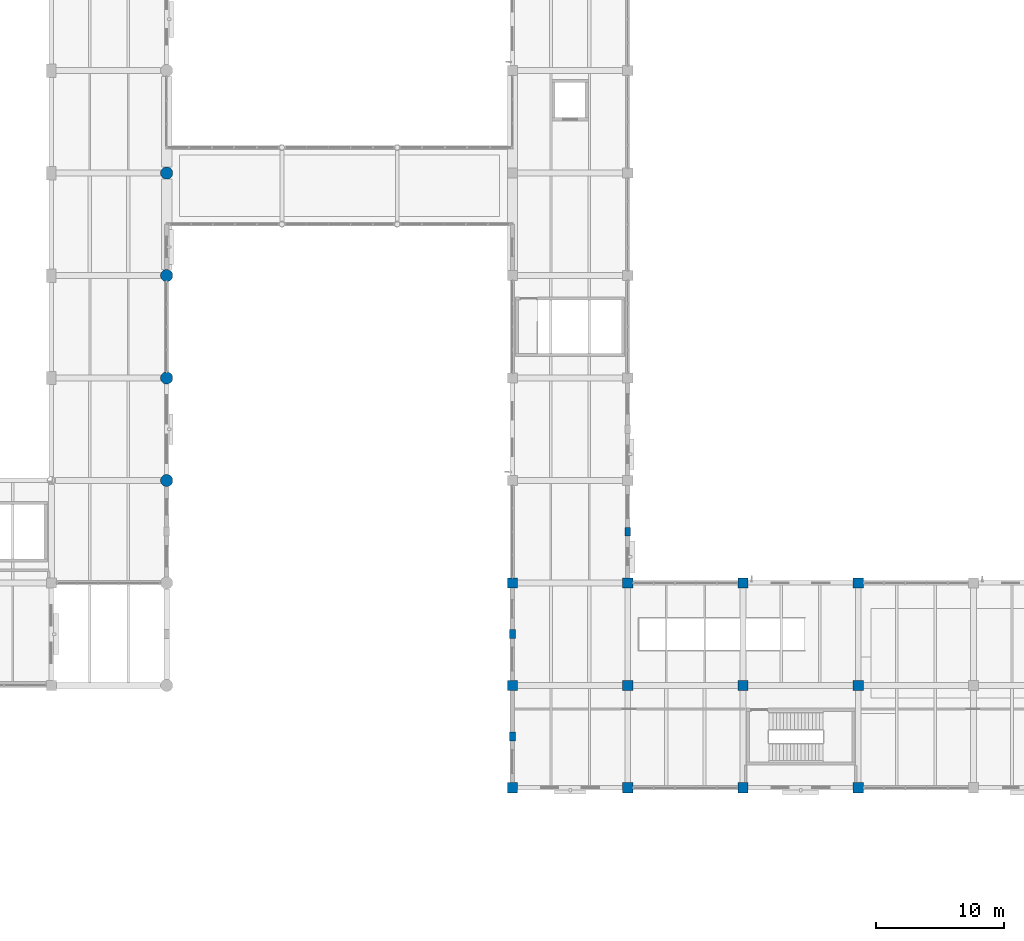
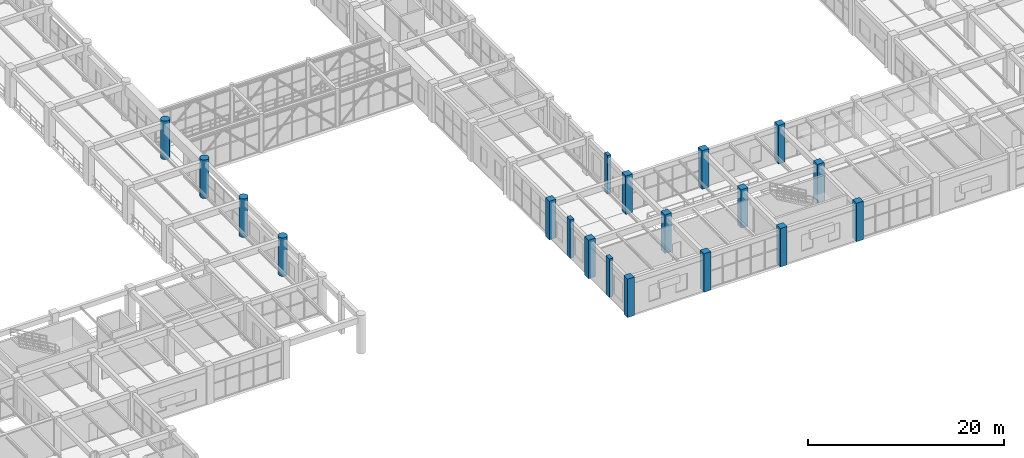
# One storey, part 5 of 178: 19 columns.
"""IFC4 building model written with IfcOpenShell, lengths in metres."""

from ifc_helpers import new_model, si_unit, derived_unit, direction, frame, origin, origin_2d, place, context, subcontext, project, spatial, rectangle, circle, extrude, material, material_profile, profile_set, type_object, element, save


model = new_model("IFC4")

# Units and contexts
model_context = context("Model", 3, precision=1e-05, world=origin(), true_north=direction((0.0, 1.0)))
body_context = subcontext(model_context, "Body", "Model", "MODEL_VIEW")
ifc_project = project(units=[si_unit("LENGTHUNIT", "METRE"), si_unit("AREAUNIT", "SQUARE_METRE"), si_unit("VOLUMEUNIT", "CUBIC_METRE"), si_unit("PLANEANGLEUNIT", "RADIAN"), si_unit("MASSUNIT", "GRAM", prefix="KILO"), derived_unit("THERMALTRANSMITTANCEUNIT", [(si_unit("MASSUNIT", "GRAM", prefix="KILO"), 1), (si_unit("TIMEUNIT", "SECOND"), -3), (si_unit("THERMODYNAMICTEMPERATUREUNIT", "KELVIN"), -1)])], contexts=[model_context])

# Site, building, storey
site_placement = place(None, origin())
site = spatial("IfcSite", under=ifc_project, at=site_placement, CompositionType="ELEMENT")
building_placement = place(site_placement, origin())
building = spatial("IfcBuilding", under=site, at=building_placement, Name="Zhenchuan Archway Interchange", CompositionType="ELEMENT")
storey_placement = place(building_placement, frame((0.0, 0.0, 5.39990234375)))
storey = spatial("IfcBuildingStorey", under=building, at=storey_placement, Name="L01", CompositionType="ELEMENT", Elevation=5.39990234375)

# Columns
ifc_material_1 = material(Name="Concrete C40", Category="concrete")
ifc_material_profile_1 = material_profile(ifc_material_1, rectangle(XDim=0.800048828125, YDim=0.800048828125, at=origin_2d()), Name="RC 800x800")
ifc_profile_set_1 = profile_set([ifc_material_profile_1], Name="Concrete C40")
column_type_1 = type_object("IfcColumnType", Name="COL_RC_800", PredefinedType="COLUMN", material=ifc_profile_set_1)
for number, where, z_axis, x_axis, name in (
    (1, (99.0, 8.0, 0.0), (0.0, 0.0, 1.0), (1.0, 0.0, 0.0), "Column 12/B (L01)"),
    (2, (99.0, 16.0, 0.0), (0.0, 0.0, 1.0), (1.0, 0.0, 0.0), "Column 12/C (L01)"),
    (3, (99.0, 24.0, 0.0), (0.0, 0.0, 1.0), (1.0, 0.0, 0.0), "Column 12/D (L01)"),
    (4, (108.0, 8.0, 0.0), (0.0, 0.0, 1.0), (1.0, 0.0, 0.0), "Column 13/B (L01)"),
    (5, (108.0, 16.0, 0.0), (0.0, 0.0, 1.0), (1.0, 0.0, 0.0), "Column 13/C (L01)"),
    (6, (108.0, 24.0, 0.0), (0.0, 0.0, 1.0), (1.0, 0.0, 0.0), "Column 13/D (L01)"),
    (7, (117.0, 8.0, 0.0), (0.0, 0.0, 1.0), (1.0, 0.0, 0.0), "Column 14/B (L01)"),
    (8, (117.0, 16.0, 0.0), (0.0, 0.0, 1.0), (1.0, 0.0, 0.0), "Column 14/C (L01)"),
    (9, (117.0, 24.0, 0.0), (0.0, 0.0, 1.0), (1.0, 0.0, 0.0), "Column 14/D (L01)"),
    (10, (126.0, 8.0, 0.0), (0.0, 0.0, 1.0), (1.0, 0.0, 0.0), "Column 15/B (L01)"),
    (11, (126.0, 16.0, 0.0), (0.0, 0.0, 1.0), (1.0, 0.0, 0.0), "Column 15/C (L01)"),
    (12, (126.0, 24.0, 0.0), (0.0, 0.0, 1.0), (1.0, 0.0, 0.0), "Column 15/D (L01)"),
):
    element("IfcColumn", number, at=place(storey_placement, frame(where, z_axis=z_axis, x_axis=x_axis)), inside=storey, type_object=column_type_1, Name=name, PredefinedType="COLUMN", context=body_context, shape_type="SweptSolid", body=[
        extrude(rectangle(XDim=0.800048828125, YDim=0.800048828125, at=origin_2d()), origin(), (0.0, 0.0, 1.0), 4.800048828125),
    ])
ifc_material_2 = material(Name="Concrete C50", Category="concrete")
ifc_material_profile_2 = material_profile(ifc_material_2, circle(Radius=0.47509765625, at=origin_2d()), Name="RC D950")
ifc_profile_set_2 = profile_set([ifc_material_profile_2], Name="Concrete C50")
column_type_2 = type_object("IfcColumnType", Name="COL_RC_D950", PredefinedType="COLUMN", material=ifc_profile_set_2)
for number, where, z_axis, x_axis, name in (
    (13, (72.0, 32.0, 0.0), (0.0, 0.0, 1.0), (1.0, 0.0, 0.0), "Column 9/E (L01)"),
    (14, (72.0, 40.0, 0.0), (0.0, 0.0, 1.0), (1.0, 0.0, 0.0), "Column 9/F (L01)"),
    (15, (72.0, 48.0, 0.0), (0.0, 0.0, 1.0), (1.0, 0.0, 0.0), "Column 9/G (L01)"),
    (16, (72.0, 56.0, 0.0), (0.0, 0.0, 1.0), (1.0, 0.0, 0.0), "Column 9/H (L01)"),
):
    element("IfcColumn", number, at=place(storey_placement, frame(where, z_axis=z_axis, x_axis=x_axis)), inside=storey, type_object=column_type_2, Name=name, PredefinedType="COLUMN", context=body_context, shape_type="SweptSolid", body=[
        extrude(circle(Radius=0.47509765625, at=origin_2d()), origin(), (0.0, 0.0, 1.0), 4.800048828125),
    ])
ifc_material_profile_3 = material_profile(ifc_material_1, rectangle(XDim=0.39990234375, YDim=0.64990234375, at=origin_2d()), Name="RC 400x650")
ifc_profile_set_3 = profile_set([ifc_material_profile_3], Name="Concrete C40")
column_type_3 = type_object("IfcColumnType", Name="PIL_COURT_400x650", PredefinedType="PILASTER", material=ifc_profile_set_3)
column_placement = place(storey_placement, frame((108.0, 28.0, 0.0), z_axis=(0.0, 0.0, 1.0), x_axis=(1.0, 0.0, 0.0)))
element("IfcColumn", 17, at=column_placement, inside=storey, type_object=column_type_3, Name="Colonnade pilaster CRT-W1 (L01)", PredefinedType="PILASTER", context=body_context, shape_type="SweptSolid", body=[
    extrude(rectangle(XDim=0.39990234375, YDim=0.64990234375, at=origin_2d()), origin(), (0.0, 0.0, 1.0), 4.800048828125),
])
ifc_material_profile_4 = material_profile(ifc_material_1, rectangle(XDim=0.449951171875, YDim=0.699951171875, at=origin_2d()), Name="RC 450x700")
ifc_profile_set_4 = profile_set([ifc_material_profile_4], Name="Concrete C40")
column_type_4 = type_object("IfcColumnType", Name="PIL_PASSAGE_450x700", PredefinedType="PILASTER", material=ifc_profile_set_4)
for number, where, z_axis, x_axis, name in (
    (18, (99.0, 12.0, 0.0), (0.0, 0.0, 1.0), (1.0, 0.0, 0.0), "Colonnade pilaster PAS-E1 (L01)"),
    (19, (99.0, 20.0, 0.0), (0.0, 0.0, 1.0), (1.0, 0.0, 0.0), "Colonnade pilaster PAS-E2 (L01)"),
):
    element("IfcColumn", number, at=place(storey_placement, frame(where, z_axis=z_axis, x_axis=x_axis)), inside=storey, type_object=column_type_4, Name=name, PredefinedType="PILASTER", context=body_context, shape_type="SweptSolid", body=[
        extrude(rectangle(XDim=0.449951171875, YDim=0.699951171875, at=origin_2d()), origin(), (0.0, 0.0, 1.0), 4.800048828125),
    ])

save(model, "model.ifc")
